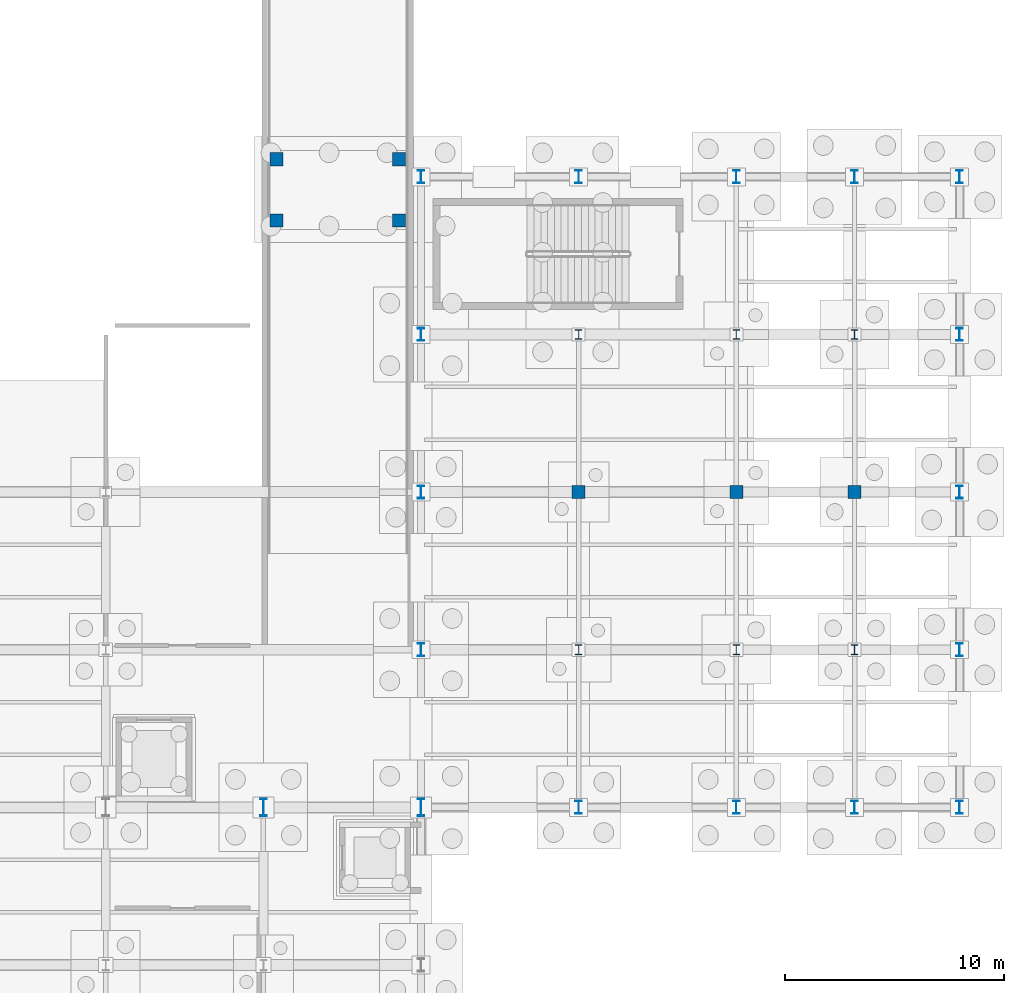
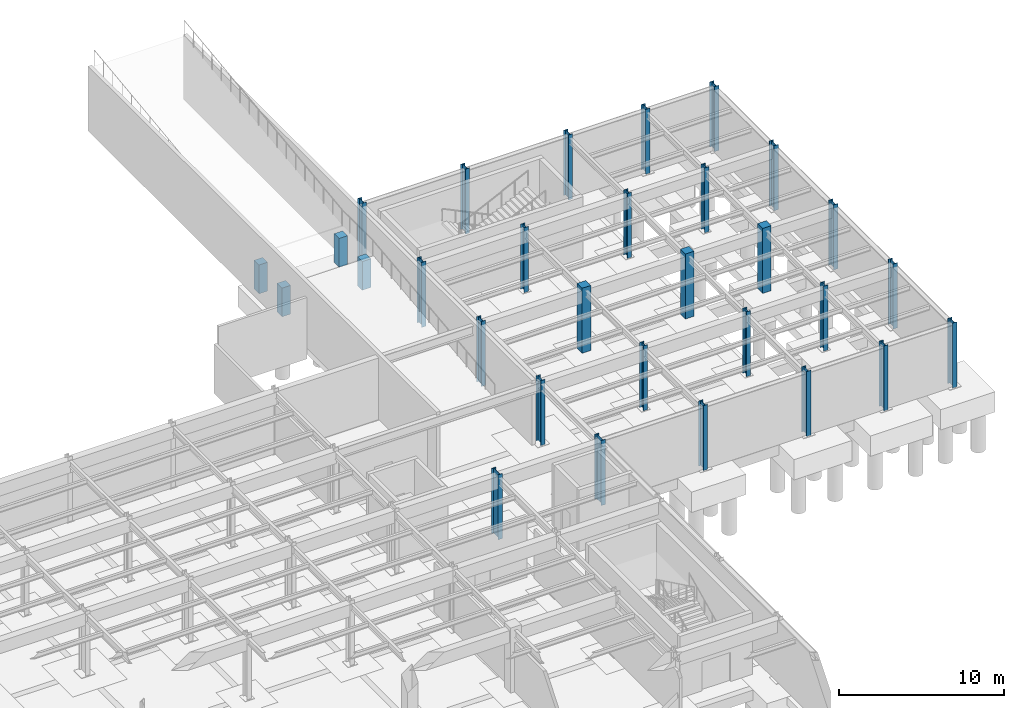
# One storey, part 31 of 64: 30 columns.
"""IFC4 building model written with IfcOpenShell, lengths in metres."""

from ifc_helpers import new_model, si_unit, direction, frame, origin, origin_2d, place, context, subcontext, project, spatial, rectangle, i_section, extrude, material, material_profile, profile_set, type_object, element, save


model = new_model("IFC4")

# Units and contexts
model_context = context("Model", 3, precision=1e-05, world=origin(), true_north=direction((0.0, 1.0)))
body_context = subcontext(model_context, "Body", "Model", "MODEL_VIEW")
ifc_project = project(units=[si_unit("LENGTHUNIT", "METRE"), si_unit("AREAUNIT", "SQUARE_METRE"), si_unit("VOLUMEUNIT", "CUBIC_METRE"), si_unit("PLANEANGLEUNIT", "RADIAN"), si_unit("MASSUNIT", "GRAM", prefix="KILO")], contexts=[model_context])

# Site, building, storey
site_placement = place(None, origin())
site = spatial("IfcSite", under=ifc_project, at=site_placement, CompositionType="ELEMENT")
building_placement = place(site_placement, origin())
building = spatial("IfcBuilding", under=site, at=building_placement, Name="Solvadek Multi-Sports Hall", CompositionType="ELEMENT")
storey_placement = place(building_placement, frame((0.0, 0.0, -4.800048828125)))
storey = spatial("IfcBuildingStorey", under=building, at=storey_placement, Name="B1", CompositionType="ELEMENT", Elevation=-4.800048828125)

# Columns
ifc_material_1 = material(Name="Concrete M40", Category="concrete")
ifc_material_profile_1 = material_profile(ifc_material_1, rectangle(XDim=0.60009765625, YDim=0.60009765625, at=origin_2d()), Name="RC 600x600")
ifc_profile_set_1 = profile_set([ifc_material_profile_1], Name="Concrete M40")
column_type_1 = type_object("IfcColumnType", Name="STR-COL-RC600", PredefinedType="COLUMN", material=ifc_profile_set_1)
for number, where, z_axis, x_axis, name in (
    (1, (144.0, 56.39990234375, 0.0), (0.0, 0.0, 1.0), (1.0, 0.0, 0.0), "B1 Column C-14 #248"),
    (2, (151.199951171875, 56.39990234375, 0.0), (0.0, 0.0, 1.0), (1.0, 0.0, 0.0), "B1 Column C-14 #253"),
    (3, (156.60009765625, 56.39990234375, 0.0), (0.0, 0.0, 1.0), (1.0, 0.0, 0.0), "B1 Column C-14 #258"),
):
    element("IfcColumn", number, at=place(storey_placement, frame(where, z_axis=z_axis, x_axis=x_axis)), inside=storey, type_object=column_type_1, Name=name, PredefinedType="COLUMN", context=body_context, shape_type="SweptSolid", body=[
        extrude(rectangle(XDim=0.60009765625, YDim=0.60009765625, at=origin_2d()), origin(), (0.0, 0.0, 1.0), 4.800048828125),
    ])
for number, where, z_axis, x_axis, name in (
    (4, (130.199951171875, 68.800048828125, 0.0), (0.0, 0.0, 1.0), (1.0, 0.0, 0.0), "VR-02 Landing Pier #1"),
    (5, (135.800048828125, 68.800048828125, 0.0), (0.0, 0.0, 1.0), (1.0, 0.0, 0.0), "VR-02 Landing Pier #2"),
    (6, (130.199951171875, 71.60009765625, 0.0), (0.0, 0.0, 1.0), (1.0, 0.0, 0.0), "VR-02 Landing Pier #3"),
    (7, (135.800048828125, 71.60009765625, 0.0), (0.0, 0.0, 1.0), (1.0, 0.0, 0.0), "VR-02 Landing Pier #4"),
):
    element("IfcColumn", number, at=place(storey_placement, frame(where, z_axis=z_axis, x_axis=x_axis)), inside=storey, type_object=column_type_1, Name=name, PredefinedType="COLUMN", context=body_context, shape_type="SweptSolid", body=[
        extrude(rectangle(XDim=0.60009765625, YDim=0.60009765625, at=origin_2d()), origin(), (0.0, 0.0, 1.0), 2.1201171875),
    ])
ifc_material_2 = material(Name="Steel E350 (350 MPa)", Category="steel")
ifc_material_profile_2 = material_profile(ifc_material_2, i_section(OverallWidth=0.300048828125, OverallDepth=0.449951171875, WebThickness=0.013916015625, FlangeThickness=0.02587890625, at=origin_2d()), Name="WPB 450")
ifc_profile_set_2 = profile_set([ifc_material_profile_2], Name="Steel E350 (350 MPa)")
column_type_2 = type_object("IfcColumnType", Name="STR-COL-WPB450", PredefinedType="COLUMN", material=ifc_profile_set_2)
for number, where, z_axis, x_axis, name in (
    (8, (144.0, 49.199951171875, 0.0), (0.0, 0.0, 1.0), (1.0, 0.0, 0.0), "B1 Column C-06 #247"),
    (9, (144.0, 63.60009765625, 0.0), (0.0, 0.0, 1.0), (1.0, 0.0, 0.0), "B1 Column C-06 #249"),
    (10, (151.199951171875, 49.199951171875, 0.0), (0.0, 0.0, 1.0), (1.0, 0.0, 0.0), "B1 Column C-06 #252"),
    (11, (151.199951171875, 63.60009765625, 0.0), (0.0, 0.0, 1.0), (1.0, 0.0, 0.0), "B1 Column C-06 #254"),
    (12, (156.60009765625, 49.199951171875, 0.0), (0.0, 0.0, 1.0), (1.0, 0.0, 0.0), "B1 Column C-06 #257"),
    (13, (156.60009765625, 63.60009765625, 0.0), (0.0, 0.0, 1.0), (1.0, 0.0, 0.0), "B1 Column C-06 #259"),
):
    element("IfcColumn", number, at=place(storey_placement, frame(where, z_axis=z_axis, x_axis=x_axis)), inside=storey, type_object=column_type_2, Name=name, PredefinedType="COLUMN", context=body_context, shape_type="SweptSolid", body=[
        extrude(i_section(OverallWidth=0.300048828125, OverallDepth=0.449951171875, WebThickness=0.013916015625, FlangeThickness=0.02587890625, at=origin_2d()), origin(), (0.0, 0.0, 1.0), 4.800048828125),
    ])
ifc_material_profile_3 = material_profile(ifc_material_2, i_section(OverallWidth=0.300048828125, OverallDepth=0.60009765625, WebThickness=0.015380859375, FlangeThickness=0.030029296875, at=origin_2d()), Name="WPB 600")
ifc_profile_set_3 = profile_set([ifc_material_profile_3], Name="Steel E350 (350 MPa)")
column_type_3 = type_object("IfcColumnType", Name="STR-COL-WPB600", PredefinedType="COLUMN", material=ifc_profile_set_3)
for number, where, z_axis, x_axis, name in (
    (14, (136.800048828125, 49.199951171875, 0.0), (0.0, 0.0, 1.0), (1.0, 0.0, 0.0), "B1 Column C-03 #242"),
    (15, (136.800048828125, 56.39990234375, 0.0), (0.0, 0.0, 1.0), (1.0, 0.0, 0.0), "B1 Column C-03 #243"),
    (16, (136.800048828125, 63.60009765625, 0.0), (0.0, 0.0, 1.0), (1.0, 0.0, 0.0), "B1 Column C-03 #244"),
    (17, (136.800048828125, 70.800048828125, 0.0), (0.0, 0.0, 1.0), (1.0, 0.0, 0.0), "B1 Column C-03 #245"),
    (18, (144.0, 42.0, 0.0), (0.0, 0.0, 1.0), (1.0, 0.0, 0.0), "B1 Column C-03 #246"),
    (19, (144.0, 70.800048828125, 0.0), (0.0, 0.0, 1.0), (1.0, 0.0, 0.0), "B1 Column C-03 #250"),
    (20, (151.199951171875, 42.0, 0.0), (0.0, 0.0, 1.0), (1.0, 0.0, 0.0), "B1 Column C-03 #251"),
    (21, (151.199951171875, 70.800048828125, 0.0), (0.0, 0.0, 1.0), (1.0, 0.0, 0.0), "B1 Column C-03 #255"),
    (22, (156.60009765625, 42.0, 0.0), (0.0, 0.0, 1.0), (1.0, 0.0, 0.0), "B1 Column C-03 #256"),
    (23, (156.60009765625, 70.800048828125, 0.0), (0.0, 0.0, 1.0), (1.0, 0.0, 0.0), "B1 Column C-03 #260"),
    (24, (161.39990234375, 42.0, 0.0), (0.0, 0.0, 1.0), (1.0, 0.0, 0.0), "B1 Column C-03 #261"),
    (25, (161.39990234375, 49.199951171875, 0.0), (0.0, 0.0, 1.0), (1.0, 0.0, 0.0), "B1 Column C-03 #262"),
    (26, (161.39990234375, 56.39990234375, 0.0), (0.0, 0.0, 1.0), (1.0, 0.0, 0.0), "B1 Column C-03 #263"),
    (27, (161.39990234375, 63.60009765625, 0.0), (0.0, 0.0, 1.0), (1.0, 0.0, 0.0), "B1 Column C-03 #264"),
    (28, (161.39990234375, 70.800048828125, 0.0), (0.0, 0.0, 1.0), (1.0, 0.0, 0.0), "B1 Column C-03 #265"),
):
    element("IfcColumn", number, at=place(storey_placement, frame(where, z_axis=z_axis, x_axis=x_axis)), inside=storey, type_object=column_type_3, Name=name, PredefinedType="COLUMN", context=body_context, shape_type="SweptSolid", body=[
        extrude(i_section(OverallWidth=0.300048828125, OverallDepth=0.60009765625, WebThickness=0.015380859375, FlangeThickness=0.030029296875, at=origin_2d()), origin(), (0.0, 0.0, 1.0), 4.800048828125),
    ])
ifc_material_profile_4 = material_profile(ifc_material_2, i_section(OverallWidth=0.300048828125, OverallDepth=0.800048828125, WebThickness=0.017578125, FlangeThickness=0.032958984375, at=origin_2d()), Name="WPB 800")
ifc_profile_set_4 = profile_set([ifc_material_profile_4], Name="Steel E350 (350 MPa)")
column_type_4 = type_object("IfcColumnType", Name="STR-COL-WPB800", PredefinedType="COLUMN", material=ifc_profile_set_4)
for number, where, z_axis, x_axis, name in (
    (29, (129.60009765625, 42.0, 0.0), (0.0, 0.0, 1.0), (1.0, 0.0, 0.0), "B1 Column C-01 #235"),
    (30, (136.800048828125, 42.0, 0.0), (0.0, 0.0, 1.0), (1.0, 0.0, 0.0), "B1 Column C-01 #241"),
):
    element("IfcColumn", number, at=place(storey_placement, frame(where, z_axis=z_axis, x_axis=x_axis)), inside=storey, type_object=column_type_4, Name=name, PredefinedType="COLUMN", context=body_context, shape_type="SweptSolid", body=[
        extrude(i_section(OverallWidth=0.300048828125, OverallDepth=0.800048828125, WebThickness=0.017578125, FlangeThickness=0.032958984375, at=origin_2d()), origin(), (0.0, 0.0, 1.0), 4.800048828125),
    ])

save(model, "model.ifc")
